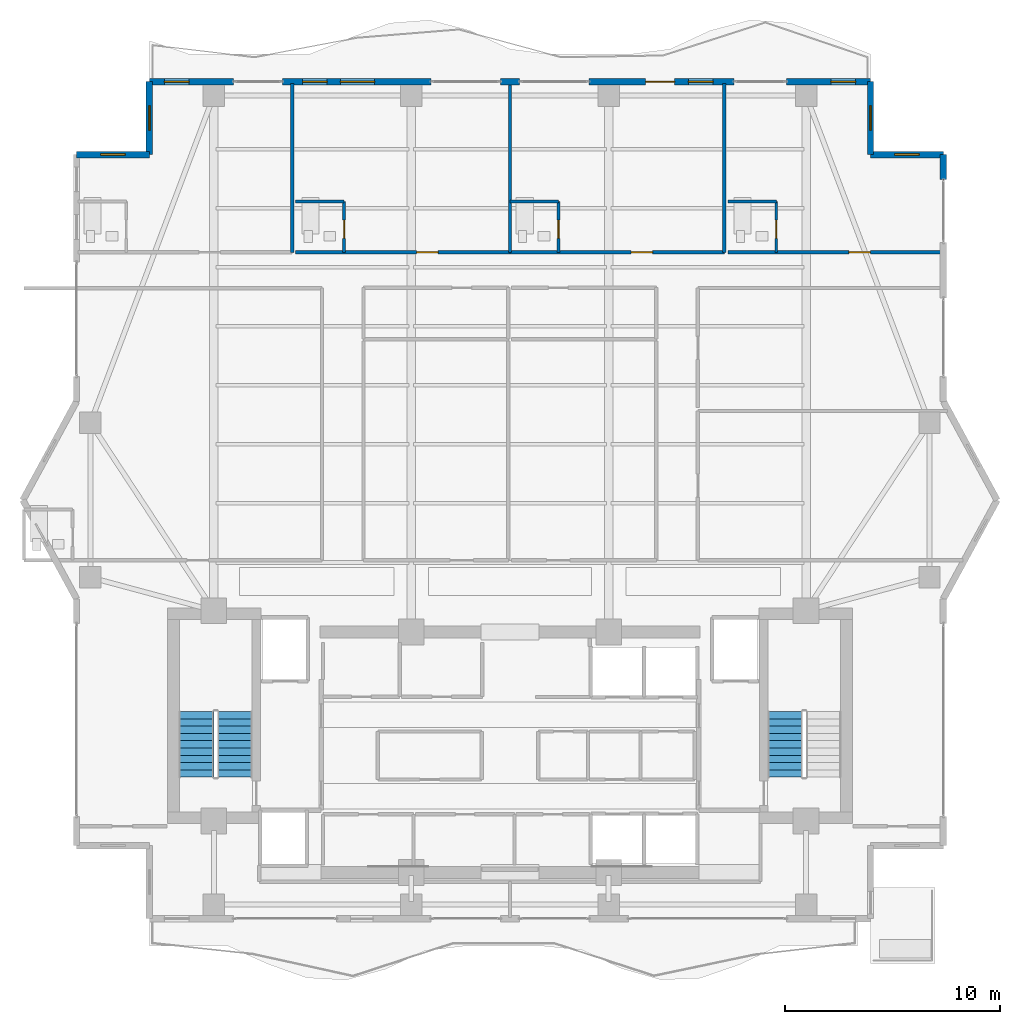
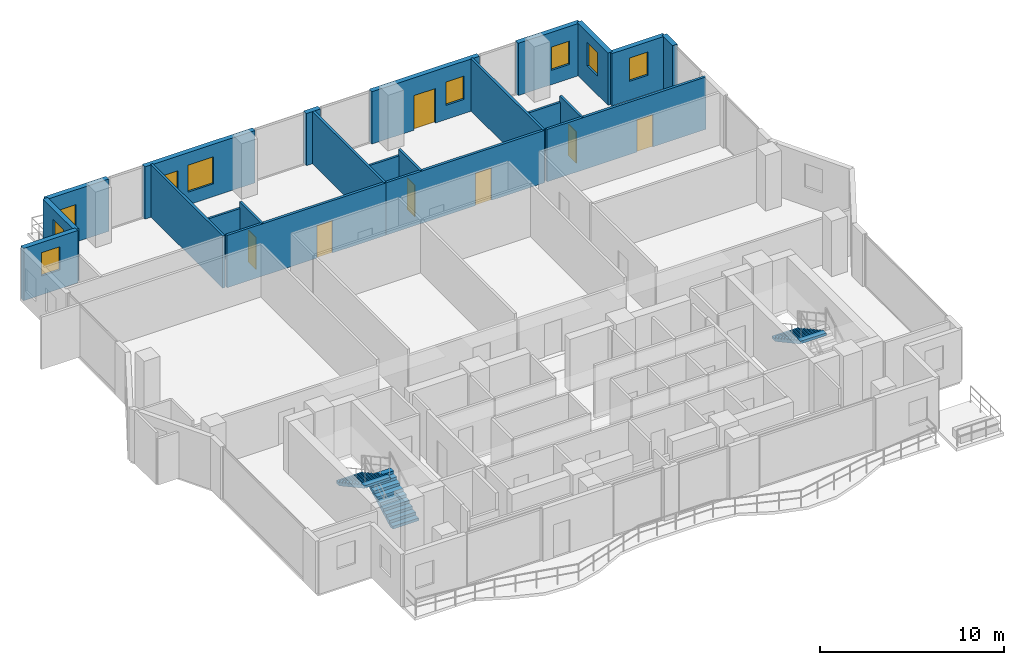
# One storey, part 22 of 26: 22 walls, 9 windows, 7 doors, 3 stair flights, 16 openings, 2 elements without a shape of their own.
"""IFC4 building model written with IfcOpenShell, lengths in metres."""

from ifc_helpers import new_model, si_unit, direction, frame, frame_2d, origin, place, context, subcontext, project, spatial, polyline, rectangle, outline, extrude, material, layer, layer_set, type_object, element, fill, aggregate, save


model = new_model("IFC4")

# Units and contexts
model_context = context("Model", 3, precision=1e-05, world=origin(), true_north=direction((0.0, 1.0)))
body_context = subcontext(model_context, "Body", "Model", "MODEL_VIEW")
ifc_project = project(units=[si_unit("LENGTHUNIT", "METRE"), si_unit("AREAUNIT", "SQUARE_METRE"), si_unit("VOLUMEUNIT", "CUBIC_METRE"), si_unit("PLANEANGLEUNIT", "RADIAN"), si_unit("MASSUNIT", "GRAM", prefix="KILO")], contexts=[model_context])

# Site, building, storey
site_placement = place(None, origin())
site = spatial("IfcSite", under=ifc_project, at=site_placement, CompositionType="ELEMENT")
building_placement = place(site_placement, origin())
building = spatial("IfcBuilding", under=site, at=building_placement, Name="Zuhayl Quay Hotel", CompositionType="ELEMENT")
storey_placement = place(building_placement, frame((0.0, 0.0, 254.449951171875)))
storey = spatial("IfcBuildingStorey", under=building, at=storey_placement, Name="L64", CompositionType="ELEMENT", Elevation=254.449951171875)

# Wall, opening, window
ifc_material_1 = material(Name="Precast concrete C45/55", Category="concrete")
ifc_layer_1 = layer(ifc_material_1, 0.300048828125, Name="Precast concrete C45/55", Category="concrete")
ifc_layer_set_1 = layer_set([ifc_layer_1], Name="Precast concrete C45/55")
wall_type_1 = type_object("IfcWallType", Name="WL_EXT_300", PredefinedType="STANDARD", material=ifc_layer_set_1)
wall_1_placement = place(storey_placement, frame((-20.199951171875, 35.60009765625, 0.0), z_axis=(0.0, 0.0, 1.0), x_axis=(1.0, 0.0, 0.0)))
wall_1 = element("IfcWall", 1, at=wall_1_placement, inside=storey, type_object=wall_type_1, Name="L64 Exterior Precast Wall ENV_L64_EW06", PredefinedType="STANDARD", context=body_context, shape_type="SweptSolid", body=[
    extrude(rectangle(XDim=3.39990234375, YDim=0.300048828125, at=frame_2d((1.699951171875, 0.0))), origin(), (0.0, 0.0, 1.0), 3.47998046875),
])
opening_1_placement = place(wall_1_placement, frame((1.125, 0.0, 1.25)))
opening_1 = element("IfcOpeningElement", 2, at=opening_1_placement, cuts=wall_1, Name="Opening W01N", PredefinedType="OPENING", context=body_context, shape_type="SweptSolid", body=[
    extrude(rectangle(XDim=1.14990234375, YDim=1.550048828125, at=frame_2d((0.574951171875, 0.77490234375))), frame((0.0, 0.159912109375, 0.0), z_axis=(0.0, -1.0, 0.0), x_axis=(1.0, 0.0, 0.0)), (0.0, 0.0, 1.0), 0.320068359375),
])
ifc_material_2 = material(Name="Dark Ceramic-Fritted Solar Glass", Category="glass")
window_type_1 = type_object("IfcWindowType", Name="WN_NOTCH_1350", PartitioningType="SINGLE_PANEL", PredefinedType="WINDOW", material=ifc_material_2)
window_1_placement = place(opening_1_placement, origin())
window_1 = element("IfcWindow", 3, at=window_1_placement, inside=storey, type_object=window_type_1, Name="L64 Corner Notch Window 6", OverallHeight=1.550048828125, OverallWidth=1.14990234375, PartitioningType="SINGLE_PANEL", PredefinedType="WINDOW", context=body_context, shape_type="SweptSolid", body=[
    extrude(rectangle(XDim=1.14990234375, YDim=1.550048828125, at=frame_2d((0.574951171875, 0.77490234375))), frame((0.0, 0.030029296875, 0.0), z_axis=(0.0, -1.0, 0.0), x_axis=(1.0, 0.0, 0.0)), (0.0, 0.0, 1.0), 0.06005859375),
])
fill(opening_1, window_1)

wall_2_placement = place(storey_placement, frame((-16.800048828125, 35.60009765625, 0.0), z_axis=(0.0, 0.0, 1.0), x_axis=(0.0, 1.0, 0.0)))
wall_2 = element("IfcWall", 4, at=wall_2_placement, inside=storey, type_object=wall_type_1, Name="L64 Exterior Precast Wall ENV_L64_EW07", PredefinedType="STANDARD", context=body_context, shape_type="SweptSolid", body=[
    extrude(rectangle(XDim=3.39990234375, YDim=0.300048828125, at=frame_2d((1.699951171875, 0.0))), origin(), (0.0, 0.0, 1.0), 3.47998046875),
])
opening_2_placement = place(wall_2_placement, frame((1.125, 0.0, 1.25)))
opening_2 = element("IfcOpeningElement", 5, at=opening_2_placement, cuts=wall_2, Name="Opening W01N", PredefinedType="OPENING", context=body_context, shape_type="SweptSolid", body=[
    extrude(rectangle(XDim=1.14990234375, YDim=1.550048828125, at=frame_2d((0.574951171875, 0.77490234375))), frame((0.0, 0.159912109375, 0.0), z_axis=(0.0, -1.0, 0.0), x_axis=(1.0, 0.0, 0.0)), (0.0, 0.0, 1.0), 0.320068359375),
])
window_2_placement = place(opening_2_placement, origin())
window_2 = element("IfcWindow", 6, at=window_2_placement, inside=storey, type_object=window_type_1, Name="L64 Corner Notch Window 7", OverallHeight=1.550048828125, OverallWidth=1.14990234375, PartitioningType="SINGLE_PANEL", PredefinedType="WINDOW", context=body_context, shape_type="SweptSolid", body=[
    extrude(rectangle(XDim=1.14990234375, YDim=1.550048828125, at=frame_2d((0.574951171875, 0.77490234375))), frame((0.0, 0.030029296875, 0.0), z_axis=(0.0, -1.0, 0.0), x_axis=(1.0, 0.0, 0.0)), (0.0, 0.0, 1.0), 0.06005859375),
])
fill(opening_2, window_2)

wall_3_placement = place(storey_placement, frame((-16.800048828125, 39.0, 0.0), z_axis=(0.0, 0.0, 1.0), x_axis=(1.0, 0.0, 0.0)))
wall_3 = element("IfcWall", 7, at=wall_3_placement, inside=storey, type_object=wall_type_1, Name="L64 Exterior Precast Wall ENV_L64_N_EW1", PredefinedType="STANDARD", context=body_context, shape_type="SweptSolid", body=[
    extrude(rectangle(XDim=3.920166015625, YDim=0.300048828125, at=frame_2d((1.9599609375, 0.0))), origin(), (0.0, 0.0, 1.0), 3.47998046875),
])
opening_3_placement = place(wall_3_placement, frame((0.695068359375, 0.0, 0.949951171875)))
opening_3 = element("IfcOpeningElement", 8, at=opening_3_placement, cuts=wall_3, Name="Opening W01N", PredefinedType="OPENING", context=body_context, shape_type="SweptSolid", body=[
    extrude(rectangle(XDim=1.14990234375, YDim=1.550048828125, at=frame_2d((0.574951171875, 0.77490234375))), frame((0.0, 0.159912109375, 0.0), z_axis=(0.0, -1.0, 0.0), x_axis=(1.0, 0.0, 0.0)), (0.0, 0.0, 1.0), 0.320068359375),
])
window_3_placement = place(opening_3_placement, origin())
window_3 = element("IfcWindow", 9, at=window_3_placement, inside=storey, type_object=window_type_1, Name="L64 Operable Facade Window 1-1", OverallHeight=1.550048828125, OverallWidth=1.14990234375, PartitioningType="SINGLE_PANEL", PredefinedType="WINDOW", context=body_context, shape_type="SweptSolid", body=[
    extrude(rectangle(XDim=1.14990234375, YDim=1.550048828125, at=frame_2d((0.574951171875, 0.77490234375))), frame((0.0, 0.030029296875, 0.0), z_axis=(0.0, -1.0, 0.0), x_axis=(1.0, 0.0, 0.0)), (0.0, 0.0, 1.0), 0.06005859375),
])
fill(opening_3, window_3)

# Wall, openings, windows
wall_4_placement = place(storey_placement, frame((-10.60009765625, 39.0, 0.0), z_axis=(0.0, 0.0, 1.0), x_axis=(1.0, 0.0, 0.0)))
wall_4 = element("IfcWall", 10, at=wall_4_placement, inside=storey, type_object=wall_type_1, Name="L64 Exterior Precast Wall ENV_L64_N_EW2", PredefinedType="STANDARD", context=body_context, shape_type="SweptSolid", body=[
    extrude(rectangle(XDim=6.920166015625, YDim=0.300048828125, at=frame_2d((3.4599609375, 0.0))), origin(), (0.0, 0.0, 1.0), 3.47998046875),
])
opening_4_placement = place(wall_4_placement, frame((2.695068359375, 0.0, 0.85009765625)))
opening_4 = element("IfcOpeningElement", 11, at=opening_4_placement, cuts=wall_4, Name="Opening W01", PredefinedType="OPENING", context=body_context, shape_type="SweptSolid", body=[
    extrude(rectangle(XDim=1.60009765625, YDim=1.800048828125, at=frame_2d((0.800048828125, 0.89990234375))), frame((0.0, 0.159912109375, 0.0), z_axis=(0.0, -1.0, 0.0), x_axis=(1.0, 0.0, 0.0)), (0.0, 0.0, 1.0), 0.320068359375),
])
opening_5_placement = place(wall_4_placement, frame((0.9326171875, 0.0, 0.949951171875)))
opening_5 = element("IfcOpeningElement", 12, at=opening_5_placement, cuts=wall_4, Name="Opening W01N", PredefinedType="OPENING", context=body_context, shape_type="SweptSolid", body=[
    extrude(rectangle(XDim=1.14990234375, YDim=1.550048828125, at=frame_2d((0.574951171875, 0.77490234375))), frame((0.0, 0.159912109375, 0.0), z_axis=(0.0, -1.0, 0.0), x_axis=(1.0, 0.0, 0.0)), (0.0, 0.0, 1.0), 0.320068359375),
])
window_4_placement = place(opening_5_placement, origin())
window_4 = element("IfcWindow", 13, at=window_4_placement, inside=storey, type_object=window_type_1, Name="L64 Operable Facade Window 2-1", OverallHeight=1.550048828125, OverallWidth=1.14990234375, PartitioningType="SINGLE_PANEL", PredefinedType="WINDOW", context=body_context, shape_type="SweptSolid", body=[
    extrude(rectangle(XDim=1.14990234375, YDim=1.550048828125, at=frame_2d((0.574951171875, 0.77490234375))), frame((0.0, 0.030029296875, 0.0), z_axis=(0.0, -1.0, 0.0), x_axis=(1.0, 0.0, 0.0)), (0.0, 0.0, 1.0), 0.06005859375),
])
fill(opening_5, window_4)
window_type_2 = type_object("IfcWindowType", Name="WN_OPERABLE_1600", PartitioningType="DOUBLE_PANEL_VERTICAL", PredefinedType="WINDOW", material=ifc_material_2)
window_5_placement = place(opening_4_placement, origin())
window_5 = element("IfcWindow", 14, at=window_5_placement, inside=storey, type_object=window_type_2, Name="L64 North Operable Casement Window", OverallHeight=1.800048828125, OverallWidth=1.60009765625, PartitioningType="SINGLE_PANEL", PredefinedType="WINDOW", context=body_context, shape_type="SweptSolid", body=[
    extrude(rectangle(XDim=1.60009765625, YDim=1.800048828125, at=frame_2d((0.800048828125, 0.89990234375))), frame((0.0, 0.030029296875, 0.0), z_axis=(0.0, -1.0, 0.0), x_axis=(1.0, 0.0, 0.0)), (0.0, 0.0, 1.0), 0.06005859375),
])
fill(opening_4, window_5)

# Wall
wall_5_placement = place(storey_placement, frame((-0.449951171875, 39.0, 0.0), z_axis=(0.0, 0.0, 1.0), x_axis=(1.0, 0.0, 0.0)))
element("IfcWall", 15, at=wall_5_placement, inside=storey, type_object=wall_type_1, Name="L64 Exterior Precast Wall ENV_L64_N_EW3", PredefinedType="STANDARD", context=body_context, shape_type="SweptSolid", body=[
    extrude(rectangle(XDim=0.89990234375, YDim=0.300048828125, at=frame_2d((0.449951171875, 0.0))), origin(), (0.0, 0.0, 1.0), 3.47998046875),
])

# Wall, openings, door, window
wall_6_placement = place(storey_placement, frame((3.679931640625, 39.0, 0.0), z_axis=(0.0, 0.0, 1.0), x_axis=(1.0, 0.0, 0.0)))
wall_6 = element("IfcWall", 16, at=wall_6_placement, inside=storey, type_object=wall_type_1, Name="L64 Exterior Precast Wall ENV_L64_N_EW4", PredefinedType="STANDARD", context=body_context, shape_type="SweptSolid", body=[
    extrude(rectangle(XDim=6.760009765625, YDim=0.300048828125, at=frame_2d((3.3798828125, 0.0))), origin(), (0.0, 0.0, 1.0), 3.47998046875),
])
opening_6_placement = place(wall_6_placement, frame((2.637939453125, 0.0, 0.0)))
opening_6 = element("IfcOpeningElement", 17, at=opening_6_placement, cuts=wall_6, Name="Opening DG2", PredefinedType="OPENING", context=body_context, shape_type="SweptSolid", body=[
    extrude(rectangle(XDim=1.35009765625, YDim=2.300048828125, at=frame_2d((0.675048828125, 1.14990234375))), frame((0.0, 0.159912109375, 0.0), z_axis=(0.0, -1.0, 0.0), x_axis=(1.0, 0.0, 0.0)), (0.0, 0.0, 1.0), 0.320068359375),
])
opening_7_placement = place(wall_6_placement, frame((4.638916015625, 0.0, 0.949951171875)))
opening_7 = element("IfcOpeningElement", 18, at=opening_7_placement, cuts=wall_6, Name="Opening W01N", PredefinedType="OPENING", context=body_context, shape_type="SweptSolid", body=[
    extrude(rectangle(XDim=1.14990234375, YDim=1.550048828125, at=frame_2d((0.574951171875, 0.77490234375))), frame((0.0, 0.159912109375, 0.0), z_axis=(0.0, -1.0, 0.0), x_axis=(1.0, 0.0, 0.0)), (0.0, 0.0, 1.0), 0.320068359375),
])
ifc_material_3 = material(Name="Anodised Aluminium and Dark Solar Glass", Category="aluminium")
door_type_1 = type_object("IfcDoorType", Name="DR_EXT_TERR_1350", OperationType="NOTDEFINED", PredefinedType="DOOR", material=ifc_material_3)
door_1_placement = place(opening_6_placement, origin())
door_1 = element("IfcDoor", 19, at=door_1_placement, inside=storey, type_object=door_type_1, Name="L64 North Rippling Balcony Door", OperationType="SINGLE_SWING_LEFT", OverallHeight=2.300048828125, OverallWidth=1.35009765625, PredefinedType="DOOR", context=body_context, shape_type="SweptSolid", body=[
    extrude(rectangle(XDim=1.35009765625, YDim=2.300048828125, at=frame_2d((0.675048828125, 1.14990234375))), frame((0.0, 0.02490234375, 0.0), z_axis=(0.0, -1.0, 0.0), x_axis=(1.0, 0.0, 0.0)), (0.0, 0.0, 1.0), 0.050048828125),
])
fill(opening_6, door_1)
window_6_placement = place(opening_7_placement, origin())
window_6 = element("IfcWindow", 20, at=window_6_placement, inside=storey, type_object=window_type_1, Name="L64 Operable Facade Window 4-1", OverallHeight=1.550048828125, OverallWidth=1.14990234375, PartitioningType="SINGLE_PANEL", PredefinedType="WINDOW", context=body_context, shape_type="SweptSolid", body=[
    extrude(rectangle(XDim=1.14990234375, YDim=1.550048828125, at=frame_2d((0.574951171875, 0.77490234375))), frame((0.0, 0.030029296875, 0.0), z_axis=(0.0, -1.0, 0.0), x_axis=(1.0, 0.0, 0.0)), (0.0, 0.0, 1.0), 0.06005859375),
])
fill(opening_7, window_6)

# Wall, opening, window
wall_7_placement = place(storey_placement, frame((12.8798828125, 39.0, 0.0), z_axis=(0.0, 0.0, 1.0), x_axis=(1.0, 0.0, 0.0)))
wall_7 = element("IfcWall", 21, at=wall_7_placement, inside=storey, type_object=wall_type_1, Name="L64 Exterior Precast Wall ENV_L64_N_EW5", PredefinedType="STANDARD", context=body_context, shape_type="SweptSolid", body=[
    extrude(rectangle(XDim=3.920166015625, YDim=0.300048828125, at=frame_2d((1.9599609375, 0.0))), origin(), (0.0, 0.0, 1.0), 3.47998046875),
])
opening_8_placement = place(wall_7_placement, frame((2.074951171875, 0.0, 0.949951171875)))
opening_8 = element("IfcOpeningElement", 22, at=opening_8_placement, cuts=wall_7, Name="Opening W01N", PredefinedType="OPENING", context=body_context, shape_type="SweptSolid", body=[
    extrude(rectangle(XDim=1.14990234375, YDim=1.550048828125, at=frame_2d((0.574951171875, 0.77490234375))), frame((0.0, 0.159912109375, 0.0), z_axis=(0.0, -1.0, 0.0), x_axis=(1.0, 0.0, 0.0)), (0.0, 0.0, 1.0), 0.320068359375),
])
window_7_placement = place(opening_8_placement, origin())
window_7 = element("IfcWindow", 23, at=window_7_placement, inside=storey, type_object=window_type_1, Name="L64 Operable Facade Window 5-1", OverallHeight=1.550048828125, OverallWidth=1.14990234375, PartitioningType="SINGLE_PANEL", PredefinedType="WINDOW", context=body_context, shape_type="SweptSolid", body=[
    extrude(rectangle(XDim=1.14990234375, YDim=1.550048828125, at=frame_2d((0.574951171875, 0.77490234375))), frame((0.0, 0.030029296875, 0.0), z_axis=(0.0, -1.0, 0.0), x_axis=(1.0, 0.0, 0.0)), (0.0, 0.0, 1.0), 0.06005859375),
])
fill(opening_8, window_7)

wall_8_placement = place(storey_placement, frame((16.800048828125, 39.0, 0.0), z_axis=(0.0, 0.0, 1.0), x_axis=(0.0, -1.0, 0.0)))
wall_8 = element("IfcWall", 24, at=wall_8_placement, inside=storey, type_object=wall_type_1, Name="L64 Exterior Precast Wall ENV_L64_EW09", PredefinedType="STANDARD", context=body_context, shape_type="SweptSolid", body=[
    extrude(rectangle(XDim=3.39990234375, YDim=0.300048828125, at=frame_2d((1.699951171875, 0.0))), origin(), (0.0, 0.0, 1.0), 3.47998046875),
])
opening_9_placement = place(wall_8_placement, frame((1.125, 0.0, 1.25)))
opening_9 = element("IfcOpeningElement", 25, at=opening_9_placement, cuts=wall_8, Name="Opening W01N", PredefinedType="OPENING", context=body_context, shape_type="SweptSolid", body=[
    extrude(rectangle(XDim=1.14990234375, YDim=1.550048828125, at=frame_2d((0.574951171875, 0.77490234375))), frame((0.0, 0.159912109375, 0.0), z_axis=(0.0, -1.0, 0.0), x_axis=(1.0, 0.0, 0.0)), (0.0, 0.0, 1.0), 0.320068359375),
])
window_8_placement = place(opening_9_placement, origin())
window_8 = element("IfcWindow", 26, at=window_8_placement, inside=storey, type_object=window_type_1, Name="L64 Corner Notch Window 9", OverallHeight=1.550048828125, OverallWidth=1.14990234375, PartitioningType="SINGLE_PANEL", PredefinedType="WINDOW", context=body_context, shape_type="SweptSolid", body=[
    extrude(rectangle(XDim=1.14990234375, YDim=1.550048828125, at=frame_2d((0.574951171875, 0.77490234375))), frame((0.0, 0.030029296875, 0.0), z_axis=(0.0, -1.0, 0.0), x_axis=(1.0, 0.0, 0.0)), (0.0, 0.0, 1.0), 0.06005859375),
])
fill(opening_9, window_8)

wall_9_placement = place(storey_placement, frame((16.800048828125, 35.60009765625, 0.0), z_axis=(0.0, 0.0, 1.0), x_axis=(1.0, 0.0, 0.0)))
wall_9 = element("IfcWall", 27, at=wall_9_placement, inside=storey, type_object=wall_type_1, Name="L64 Exterior Precast Wall ENV_L64_EW10", PredefinedType="STANDARD", context=body_context, shape_type="SweptSolid", body=[
    extrude(rectangle(XDim=3.39990234375, YDim=0.300048828125, at=frame_2d((1.699951171875, 0.0))), origin(), (0.0, 0.0, 1.0), 3.47998046875),
])
opening_10_placement = place(wall_9_placement, frame((1.125, 0.0, 1.25)))
opening_10 = element("IfcOpeningElement", 28, at=opening_10_placement, cuts=wall_9, Name="Opening W01N", PredefinedType="OPENING", context=body_context, shape_type="SweptSolid", body=[
    extrude(rectangle(XDim=1.14990234375, YDim=1.550048828125, at=frame_2d((0.574951171875, 0.77490234375))), frame((0.0, 0.159912109375, 0.0), z_axis=(0.0, -1.0, 0.0), x_axis=(1.0, 0.0, 0.0)), (0.0, 0.0, 1.0), 0.320068359375),
])
window_9_placement = place(opening_10_placement, origin())
window_9 = element("IfcWindow", 29, at=window_9_placement, inside=storey, type_object=window_type_1, Name="L64 Corner Notch Window 10", OverallHeight=1.550048828125, OverallWidth=1.14990234375, PartitioningType="SINGLE_PANEL", PredefinedType="WINDOW", context=body_context, shape_type="SweptSolid", body=[
    extrude(rectangle(XDim=1.14990234375, YDim=1.550048828125, at=frame_2d((0.574951171875, 0.77490234375))), frame((0.0, 0.030029296875, 0.0), z_axis=(0.0, -1.0, 0.0), x_axis=(1.0, 0.0, 0.0)), (0.0, 0.0, 1.0), 0.06005859375),
])
fill(opening_10, window_9)

# Walls
wall_10_placement = place(storey_placement, frame((20.199951171875, 35.60009765625, 0.0), z_axis=(0.0, 0.0, 1.0), x_axis=(0.0, -1.0, 0.0)))
element("IfcWall", 30, at=wall_10_placement, inside=storey, type_object=wall_type_1, Name="L64 Exterior Precast Wall ENV_L64_E11_EW1", PredefinedType="STANDARD", context=body_context, shape_type="SweptSolid", body=[
    extrude(rectangle(XDim=1.150146484375, YDim=0.300048828125, at=frame_2d((0.5751953125, 0.0))), origin(), (0.0, 0.0, 1.0), 3.47998046875),
])
ifc_material_4 = material(Name="Acoustic Gypsum Partition STC-58")
ifc_layer_2 = layer(ifc_material_4, 0.14990234375, Name="Acoustic Gypsum Partition STC-58")
ifc_layer_set_2 = layer_set([ifc_layer_2], Name="Acoustic Gypsum Partition STC-58")
wall_type_2 = type_object("IfcWallType", Name="WL_PART_150", PredefinedType="PARTITIONING", material=ifc_layer_set_2)
for number, where, z_axis, x_axis, name in (
    (31, (-10.14990234375, 31.050048828125, 0.0), (0.0, 0.0, 1.0), (0.0, 1.0, 0.0), "L64 Partition IW_L64_NU01A_E"),
    (32, (0.0, 31.050048828125, 0.0), (0.0, 0.0, 1.0), (0.0, 1.0, 0.0), "L64 Partition IW_L64_NU01B_E"),
    (33, (9.989990234375, 31.050048828125, 0.0), (0.0, 0.0, 1.0), (0.0, 1.0, 0.0), "L64 Partition IW_L64_NU02A_E"),
):
    element("IfcWall", number, at=place(storey_placement, frame(where, z_axis=z_axis, x_axis=x_axis)), inside=storey, type_object=wall_type_2, Name=name, PredefinedType="PARTITIONING", context=body_context, shape_type="SweptSolid", body=[
        extrude(rectangle(XDim=7.869873046875, YDim=0.14990234375, at=frame_2d((3.93505859375, 0.0))), origin(), (0.0, 0.0, 1.0), 3.47998046875),
    ])

# Wall, opening, door
ifc_layer_3 = layer(ifc_material_4, 0.159912109375, Name="Acoustic Gypsum Partition STC-58")
ifc_layer_set_3 = layer_set([ifc_layer_3], Name="Acoustic Gypsum Partition STC-58")
wall_type_3 = type_object("IfcWallType", Name="WL_PART_CORR_160", PredefinedType="PARTITIONING", material=ifc_layer_set_3)
wall_11_placement = place(storey_placement, frame((-9.989990234375, 31.050048828125, 0.0), z_axis=(0.0, 0.0, 1.0), x_axis=(1.0, 0.0, 0.0)))
wall_11 = element("IfcWall", 34, at=wall_11_placement, inside=storey, type_object=wall_type_3, Name="L64 Partition IW_L64_NU01B_COR", PredefinedType="PARTITIONING", context=body_context, shape_type="SweptSolid", body=[
    extrude(rectangle(XDim=9.989990234375, YDim=0.159912109375, at=frame_2d((4.9951171875, 0.0))), origin(), (0.0, 0.0, 1.0), 3.47998046875),
])
opening_11_placement = place(wall_11_placement, frame((5.64501953125, 0.0, 0.0)))
opening_11 = element("IfcOpeningElement", 35, at=opening_11_placement, cuts=wall_11, Name="Opening D03L", PredefinedType="OPENING", context=body_context, shape_type="SweptSolid", body=[
    extrude(rectangle(XDim=1.0, YDim=2.14990234375, at=frame_2d((0.5, 1.074951171875))), frame((0.0, 0.08984375, 0.0), z_axis=(0.0, -1.0, 0.0), x_axis=(1.0, 0.0, 0.0)), (0.0, 0.0, 1.0), 0.179931640625),
])
ifc_material_5 = material(Name="Solid Walnut Acoustic Fire Door")
door_type_2 = type_object("IfcDoorType", Name="DR_SUITE_1000", OperationType="NOTDEFINED", PredefinedType="DOOR", material=ifc_material_5)
door_2_placement = place(opening_11_placement, origin())
door_2 = element("IfcDoor", 36, at=door_2_placement, inside=storey, type_object=door_type_2, Name="L64 Royal Gulf Suite L64-01B Entrance Door", OperationType="SINGLE_SWING_LEFT", OverallHeight=2.14990234375, OverallWidth=1.0, PredefinedType="DOOR", context=body_context, shape_type="SweptSolid", body=[
    extrude(rectangle(XDim=1.0, YDim=2.14990234375, at=frame_2d((0.5, 1.074951171875))), frame((0.0, 0.02490234375, 0.0), z_axis=(0.0, -1.0, 0.0), x_axis=(1.0, 0.0, 0.0)), (0.0, 0.0, 1.0), 0.050048828125),
])
fill(opening_11, door_2)

wall_12_placement = place(storey_placement, frame((0.0, 31.050048828125, 0.0), z_axis=(0.0, 0.0, 1.0), x_axis=(1.0, 0.0, 0.0)))
wall_12 = element("IfcWall", 37, at=wall_12_placement, inside=storey, type_object=wall_type_3, Name="L64 Partition IW_L64_NU02A_COR", PredefinedType="PARTITIONING", context=body_context, shape_type="SweptSolid", body=[
    extrude(rectangle(XDim=9.989990234375, YDim=0.159912109375, at=frame_2d((4.9951171875, 0.0))), origin(), (0.0, 0.0, 1.0), 3.47998046875),
])
opening_12_placement = place(wall_12_placement, frame((5.64501953125, 0.0, 0.0)))
opening_12 = element("IfcOpeningElement", 38, at=opening_12_placement, cuts=wall_12, Name="Opening D03L", PredefinedType="OPENING", context=body_context, shape_type="SweptSolid", body=[
    extrude(rectangle(XDim=1.0, YDim=2.14990234375, at=frame_2d((0.5, 1.074951171875))), frame((0.0, 0.08984375, 0.0), z_axis=(0.0, -1.0, 0.0), x_axis=(1.0, 0.0, 0.0)), (0.0, 0.0, 1.0), 0.179931640625),
])
door_3_placement = place(opening_12_placement, origin())
door_3 = element("IfcDoor", 39, at=door_3_placement, inside=storey, type_object=door_type_2, Name="L64 Royal Gulf Suite L64-02A Entrance Door", OperationType="SINGLE_SWING_LEFT", OverallHeight=2.14990234375, OverallWidth=1.0, PredefinedType="DOOR", context=body_context, shape_type="SweptSolid", body=[
    extrude(rectangle(XDim=1.0, YDim=2.14990234375, at=frame_2d((0.5, 1.074951171875))), frame((0.0, 0.02490234375, 0.0), z_axis=(0.0, -1.0, 0.0), x_axis=(1.0, 0.0, 0.0)), (0.0, 0.0, 1.0), 0.050048828125),
])
fill(opening_12, door_3)

wall_13_placement = place(storey_placement, frame((10.14990234375, 31.050048828125, 0.0), z_axis=(0.0, 0.0, 1.0), x_axis=(1.0, 0.0, 0.0)))
wall_13 = element("IfcWall", 40, at=wall_13_placement, inside=storey, type_object=wall_type_3, Name="L64 Partition IW_L64_NU02B_COR", PredefinedType="PARTITIONING", context=body_context, shape_type="SweptSolid", body=[
    extrude(rectangle(XDim=9.989990234375, YDim=0.159912109375, at=frame_2d((4.9951171875, 0.0))), origin(), (0.0, 0.0, 1.0), 3.47998046875),
])
opening_13_placement = place(wall_13_placement, frame((5.64501953125, 0.0, 0.0)))
opening_13 = element("IfcOpeningElement", 41, at=opening_13_placement, cuts=wall_13, Name="Opening D03L", PredefinedType="OPENING", context=body_context, shape_type="SweptSolid", body=[
    extrude(rectangle(XDim=1.0, YDim=2.14990234375, at=frame_2d((0.5, 1.074951171875))), frame((0.0, 0.08984375, 0.0), z_axis=(0.0, -1.0, 0.0), x_axis=(1.0, 0.0, 0.0)), (0.0, 0.0, 1.0), 0.179931640625),
])
door_4_placement = place(opening_13_placement, origin())
door_4 = element("IfcDoor", 42, at=door_4_placement, inside=storey, type_object=door_type_2, Name="L64 Royal Gulf Suite L64-02B Entrance Door", OperationType="SINGLE_SWING_LEFT", OverallHeight=2.14990234375, OverallWidth=1.0, PredefinedType="DOOR", context=body_context, shape_type="SweptSolid", body=[
    extrude(rectangle(XDim=1.0, YDim=2.14990234375, at=frame_2d((0.5, 1.074951171875))), frame((0.0, 0.02490234375, 0.0), z_axis=(0.0, -1.0, 0.0), x_axis=(1.0, 0.0, 0.0)), (0.0, 0.0, 1.0), 0.050048828125),
])
fill(opening_13, door_4)

ifc_material_6 = material(Name="Moisture-Resistant Sanitarychase Gypsum")
ifc_layer_4 = layer(ifc_material_6, 0.135009765625, Name="Moisture-Resistant Sanitarychase Gypsum")
ifc_layer_set_4 = layer_set([ifc_layer_4], Name="Moisture-Resistant Sanitarychase Gypsum")
wall_type_4 = type_object("IfcWallType", Name="WL_PART_PLUMB_150", PredefinedType="PLUMBINGWALL", material=ifc_layer_set_4)
wall_14_placement = place(storey_placement, frame((-7.72998046875, 31.050048828125, 0.0), z_axis=(0.0, 0.0, 1.0), x_axis=(0.0, 1.0, 0.0)))
wall_14 = element("IfcWall", 43, at=wall_14_placement, inside=storey, type_object=wall_type_4, Name="L64 Partition IW_L64_NU01B_BE", PredefinedType="PLUMBINGWALL", context=body_context, shape_type="SweptSolid", body=[
    extrude(rectangle(XDim=2.35986328125, YDim=0.135009765625, at=frame_2d((1.179931640625, 0.0))), origin(), (0.0, 0.0, 1.0), 3.47998046875),
])
opening_14_placement = place(wall_14_placement, frame((0.64990234375, 0.0, 0.0)))
opening_14 = element("IfcOpeningElement", 44, at=opening_14_placement, cuts=wall_14, Name="Opening D04", PredefinedType="OPENING", context=body_context, shape_type="SweptSolid", body=[
    extrude(rectangle(XDim=0.85009765625, YDim=2.10009765625, at=frame_2d((0.425048828125, 1.050048828125))), frame((0.0, 0.077392578125, 0.0), z_axis=(0.0, -1.0, 0.0), x_axis=(1.0, 0.0, 0.0)), (0.0, 0.0, 1.0), 0.155029296875),
])
ifc_material_7 = material(Name="Moisture-Resistant Walnut Veneer")
door_type_3 = type_object("IfcDoorType", Name="DR_BATH_850", OperationType="NOTDEFINED", PredefinedType="DOOR", material=ifc_material_7)
door_5_placement = place(opening_14_placement, origin())
door_5 = element("IfcDoor", 45, at=door_5_placement, inside=storey, type_object=door_type_3, Name="L64 Royal Gulf Suite L64-01B En-Suite Door", OperationType="SINGLE_SWING_RIGHT", OverallHeight=2.10009765625, OverallWidth=0.85009765625, PredefinedType="DOOR", context=body_context, shape_type="SweptSolid", body=[
    extrude(rectangle(XDim=0.85009765625, YDim=2.10009765625, at=frame_2d((0.425048828125, 1.050048828125))), frame((0.0, 0.02490234375, 0.0), z_axis=(0.0, -1.0, 0.0), x_axis=(1.0, 0.0, 0.0)), (0.0, 0.0, 1.0), 0.050048828125),
])
fill(opening_14, door_5)

wall_15_placement = place(storey_placement, frame((2.260009765625, 31.050048828125, 0.0), z_axis=(0.0, 0.0, 1.0), x_axis=(0.0, 1.0, 0.0)))
wall_15 = element("IfcWall", 46, at=wall_15_placement, inside=storey, type_object=wall_type_4, Name="L64 Partition IW_L64_NU02A_BE", PredefinedType="PLUMBINGWALL", context=body_context, shape_type="SweptSolid", body=[
    extrude(rectangle(XDim=2.35986328125, YDim=0.135009765625, at=frame_2d((1.179931640625, 0.0))), origin(), (0.0, 0.0, 1.0), 3.47998046875),
])
opening_15_placement = place(wall_15_placement, frame((0.64990234375, 0.0, 0.0)))
opening_15 = element("IfcOpeningElement", 47, at=opening_15_placement, cuts=wall_15, Name="Opening D04", PredefinedType="OPENING", context=body_context, shape_type="SweptSolid", body=[
    extrude(rectangle(XDim=0.85009765625, YDim=2.10009765625, at=frame_2d((0.425048828125, 1.050048828125))), frame((0.0, 0.077392578125, 0.0), z_axis=(0.0, -1.0, 0.0), x_axis=(1.0, 0.0, 0.0)), (0.0, 0.0, 1.0), 0.155029296875),
])
door_6_placement = place(opening_15_placement, origin())
door_6 = element("IfcDoor", 48, at=door_6_placement, inside=storey, type_object=door_type_3, Name="L64 Royal Gulf Suite L64-02A En-Suite Door", OperationType="SINGLE_SWING_RIGHT", OverallHeight=2.10009765625, OverallWidth=0.85009765625, PredefinedType="DOOR", context=body_context, shape_type="SweptSolid", body=[
    extrude(rectangle(XDim=0.85009765625, YDim=2.10009765625, at=frame_2d((0.425048828125, 1.050048828125))), frame((0.0, 0.02490234375, 0.0), z_axis=(0.0, -1.0, 0.0), x_axis=(1.0, 0.0, 0.0)), (0.0, 0.0, 1.0), 0.050048828125),
])
fill(opening_15, door_6)

wall_16_placement = place(storey_placement, frame((12.409912109375, 31.050048828125, 0.0), z_axis=(0.0, 0.0, 1.0), x_axis=(0.0, 1.0, 0.0)))
wall_16 = element("IfcWall", 49, at=wall_16_placement, inside=storey, type_object=wall_type_4, Name="L64 Partition IW_L64_NU02B_BE", PredefinedType="PLUMBINGWALL", context=body_context, shape_type="SweptSolid", body=[
    extrude(rectangle(XDim=2.35986328125, YDim=0.135009765625, at=frame_2d((1.179931640625, 0.0))), origin(), (0.0, 0.0, 1.0), 3.47998046875),
])
opening_16_placement = place(wall_16_placement, frame((0.64990234375, 0.0, 0.0)))
opening_16 = element("IfcOpeningElement", 50, at=opening_16_placement, cuts=wall_16, Name="Opening D04", PredefinedType="OPENING", context=body_context, shape_type="SweptSolid", body=[
    extrude(rectangle(XDim=0.85009765625, YDim=2.10009765625, at=frame_2d((0.425048828125, 1.050048828125))), frame((0.0, 0.077392578125, 0.0), z_axis=(0.0, -1.0, 0.0), x_axis=(1.0, 0.0, 0.0)), (0.0, 0.0, 1.0), 0.155029296875),
])
door_7_placement = place(opening_16_placement, origin())
door_7 = element("IfcDoor", 51, at=door_7_placement, inside=storey, type_object=door_type_3, Name="L64 Royal Gulf Suite L64-02B En-Suite Door", OperationType="SINGLE_SWING_RIGHT", OverallHeight=2.10009765625, OverallWidth=0.85009765625, PredefinedType="DOOR", context=body_context, shape_type="SweptSolid", body=[
    extrude(rectangle(XDim=0.85009765625, YDim=2.10009765625, at=frame_2d((0.425048828125, 1.050048828125))), frame((0.0, 0.02490234375, 0.0), z_axis=(0.0, -1.0, 0.0), x_axis=(1.0, 0.0, 0.0)), (0.0, 0.0, 1.0), 0.050048828125),
])
fill(opening_16, door_7)

# Walls
for number, where, z_axis, x_axis, name in (
    (52, (-9.989990234375, 33.409912109375, 0.0), (0.0, 0.0, 1.0), (1.0, 0.0, 0.0), "L64 Partition IW_L64_NU01B_BN"),
    (53, (0.0, 33.409912109375, 0.0), (0.0, 0.0, 1.0), (1.0, 0.0, 0.0), "L64 Partition IW_L64_NU02A_BN"),
    (54, (10.14990234375, 33.409912109375, 0.0), (0.0, 0.0, 1.0), (1.0, 0.0, 0.0), "L64 Partition IW_L64_NU02B_BN"),
):
    element("IfcWall", number, at=place(storey_placement, frame(where, z_axis=z_axis, x_axis=x_axis)), inside=storey, type_object=wall_type_4, Name=name, PredefinedType="PLUMBINGWALL", context=body_context, shape_type="SweptSolid", body=[
        extrude(rectangle(XDim=2.260009765625, YDim=0.135009765625, at=frame_2d((1.1298828125, 0.0))), origin(), (0.0, 0.0, 1.0), 3.075927734375),
    ])

# Stair, stair flights
ifc_material_8 = material(Name="Concrete C45/55", Category="concrete")
stair_type = type_object("IfcStairType", Name="ST_DOGLEG_TOWER", PredefinedType="HALF_TURN_STAIR", material=ifc_material_8)
stair_1_placement = place(storey_placement, origin())
stair_1 = element("IfcStair", 55, at=stair_1_placement, inside=storey, type_object=stair_type, Name="L64 Smokeproof Exit Stair ST1", PredefinedType="HALF_TURN_STAIR")
ifc_layer_5 = layer(ifc_material_8, 0.159912109375, Name="Concrete C45/55", Category="concrete")
ifc_layer_set_5 = layer_set([ifc_layer_5], Name="Concrete C45/55")
stair_flight_type = type_object("IfcStairFlightType", Name="SF_CONC_164", PredefinedType="STRAIGHT", material=ifc_layer_set_5)
stair_flight_1_placement = place(storey_placement, frame((-12.820068359375, 6.590087890625, 0.0), z_axis=(0.0, 0.0, 1.0), x_axis=(0.0, 1.0, 0.0)))
stair_flight_1 = element("IfcStairFlight", 56, at=stair_flight_1_placement, type_object=stair_flight_type, Name="ST1 flight 1", NumberOfRisers=10, NumberOfTreads=9, PredefinedType="STRAIGHT", RiserHeight=0.185, TreadLength=0.34, context=body_context, shape_type="SweptSolid", body=[
    extrude(outline(polyline([(0.0, 0.0), (0.0, 0.18505859375), (0.340087890625, 0.18505859375), (0.340087890625, 0.3701171875), (0.679931640625, 0.3701171875), (0.679931640625, 0.554931640625), (1.02001953125, 0.554931640625), (1.02001953125, 0.739990234375), (1.360107421875, 0.739990234375), (1.360107421875, 0.925048828125), (1.699951171875, 0.925048828125), (1.699951171875, 1.110107421875), (2.0400390625, 1.110107421875), (2.0400390625, 1.294921875), (2.3798828125, 1.294921875), (2.3798828125, 1.47998046875), (2.719970703125, 1.47998046875), (2.719970703125, 1.6650390625), (3.06005859375, 1.6650390625), (3.06005859375, 1.85009765625), (3.06005859375, 1.494384765625), (0.313720703125, 0.0), (0.0, 0.0)])), frame((0.0, 0.81982421875, 0.0), z_axis=(0.0, -1.0, 0.0), x_axis=(1.0, 0.0, 0.0)), (0.0, 0.0, 1.0), 1.639892578125),
])
stair_flight_2_placement = place(storey_placement, frame((-14.610107421875, 9.64990234375, 1.85009765625), z_axis=(0.0, 0.0, 1.0), x_axis=(0.0, -1.0, 0.0)))
stair_flight_2 = element("IfcStairFlight", 57, at=stair_flight_2_placement, type_object=stair_flight_type, Name="ST1 flight 2", NumberOfRisers=10, NumberOfTreads=9, PredefinedType="STRAIGHT", RiserHeight=0.185, TreadLength=0.34, context=body_context, shape_type="SweptSolid", body=[
    extrude(outline(polyline([(0.0, 0.0), (0.0, 0.18505859375), (0.340087890625, 0.18505859375), (0.340087890625, 0.3701171875), (0.679931640625, 0.3701171875), (0.679931640625, 0.554931640625), (1.02001953125, 0.554931640625), (1.02001953125, 0.739990234375), (1.360107421875, 0.739990234375), (1.360107421875, 0.925048828125), (1.699951171875, 0.925048828125), (1.699951171875, 1.110107421875), (2.0400390625, 1.110107421875), (2.0400390625, 1.294921875), (2.3798828125, 1.294921875), (2.3798828125, 1.47998046875), (2.719970703125, 1.47998046875), (2.719970703125, 1.6650390625), (3.06005859375, 1.6650390625), (3.06005859375, 1.85009765625), (3.06005859375, 1.494384765625), (0.313720703125, 0.0), (0.0, 0.0)])), frame((0.0, 0.81982421875, 0.0), z_axis=(0.0, -1.0, 0.0), x_axis=(1.0, 0.0, 0.0)), (0.0, 0.0, 1.0), 1.639892578125),
])
aggregate(stair_1, [stair_flight_1, stair_flight_2])

# Stair, stair flight
stair_2_placement = place(storey_placement, origin())
stair_2 = element("IfcStair", 58, at=stair_2_placement, inside=storey, type_object=stair_type, Name="L64 Smokeproof Exit Stair ST2", PredefinedType="HALF_TURN_STAIR")
stair_flight_3_placement = place(storey_placement, frame((12.820068359375, 9.64990234375, 1.85009765625), z_axis=(0.0, 0.0, 1.0), x_axis=(0.0, -1.0, 0.0)))
stair_flight_3 = element("IfcStairFlight", 59, at=stair_flight_3_placement, type_object=stair_flight_type, Name="ST2 flight 2", NumberOfRisers=10, NumberOfTreads=9, PredefinedType="STRAIGHT", RiserHeight=0.185, TreadLength=0.34, context=body_context, shape_type="SweptSolid", body=[
    extrude(outline(polyline([(0.0, 0.0), (0.0, 0.18505859375), (0.340087890625, 0.18505859375), (0.340087890625, 0.3701171875), (0.679931640625, 0.3701171875), (0.679931640625, 0.554931640625), (1.02001953125, 0.554931640625), (1.02001953125, 0.739990234375), (1.360107421875, 0.739990234375), (1.360107421875, 0.925048828125), (1.699951171875, 0.925048828125), (1.699951171875, 1.110107421875), (2.0400390625, 1.110107421875), (2.0400390625, 1.294921875), (2.3798828125, 1.294921875), (2.3798828125, 1.47998046875), (2.719970703125, 1.47998046875), (2.719970703125, 1.6650390625), (3.06005859375, 1.6650390625), (3.06005859375, 1.85009765625), (3.06005859375, 1.494384765625), (0.313720703125, 0.0), (0.0, 0.0)])), frame((0.0, 0.81982421875, 0.0), z_axis=(0.0, -1.0, 0.0), x_axis=(1.0, 0.0, 0.0)), (0.0, 0.0, 1.0), 1.639892578125),
])
aggregate(stair_2, [stair_flight_3])

save(model, "model.ifc")
